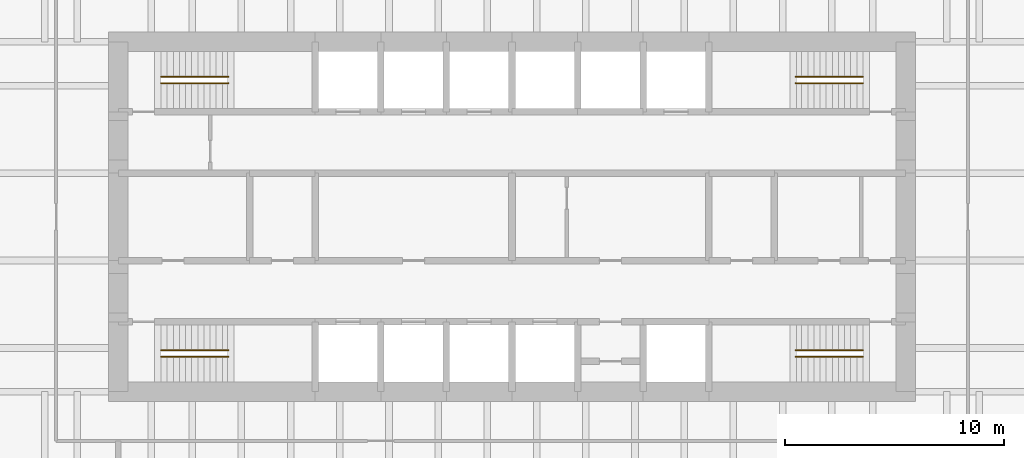
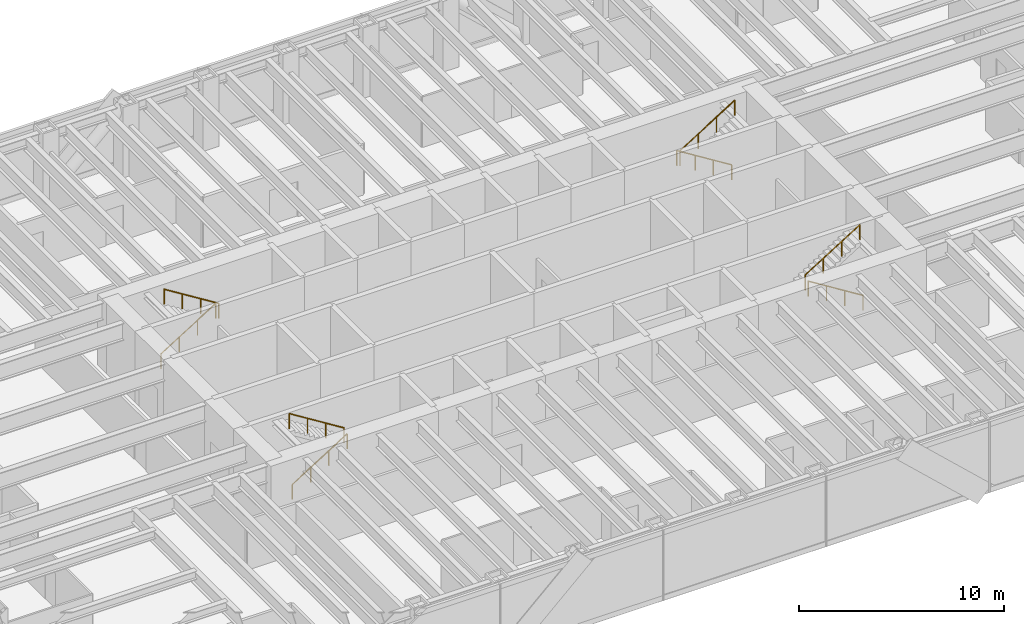
# One storey, part 15 of 15: 8 railings.
"""IFC4 building model written with IfcOpenShell, lengths in metres."""

from ifc_helpers import new_model, si_unit, direction, frame, origin, origin_2d, place, context, subcontext, project, spatial, circle, extrude, material, type_object, element, save


model = new_model("IFC4")

# Units and contexts
model_context = context("Model", 3, precision=1e-05, world=origin(), true_north=direction((0.0, 1.0)))
body_context = subcontext(model_context, "Body", "Model", "MODEL_VIEW")
ifc_project = project(units=[si_unit("LENGTHUNIT", "METRE"), si_unit("AREAUNIT", "SQUARE_METRE"), si_unit("VOLUMEUNIT", "CUBIC_METRE"), si_unit("PLANEANGLEUNIT", "RADIAN"), si_unit("MASSUNIT", "GRAM", prefix="KILO")], contexts=[model_context])

# Site, building, storey
site_placement = place(None, origin())
site = spatial("IfcSite", under=ifc_project, at=site_placement, CompositionType="ELEMENT")
building_placement = place(site_placement, origin())
building = spatial("IfcBuilding", under=site, at=building_placement, Name="Rheinbord Bourse Tower", CompositionType="ELEMENT")
storey_placement = place(building_placement, frame((0.0, 0.0, 142.5)))
storey = spatial("IfcBuildingStorey", under=building, at=storey_placement, Name="L31", CompositionType="ELEMENT", Elevation=142.5)

# Railings
ifc_material = material(Name="Steel handrail", Category="steel")
railing_type = type_object("IfcRailingType", Name="HANDRAIL 900", PredefinedType="HANDRAIL", material=ifc_material)
railing_1_placement = place(storey_placement, frame((19.949951171875, 17.60009765625, 0.175048828125)))
element("IfcRailing", 1, at=railing_1_placement, inside=storey, type_object=railing_type, Name="Handrail", PredefinedType="HANDRAIL", context=body_context, shape_type="SweptSolid", body=[
    extrude(circle(Radius=0.02392578125, at=origin_2d()), frame((0.0, 0.0, 0.8759765625), z_axis=(0.847998304005, 0.0, 0.529998940003), x_axis=(0.0, 1.0, 0.0)), (0.0, 0.0, 1.0), 3.632080078125),
    extrude(circle(Radius=0.02099609375, at=origin_2d()), origin(), (0.0, 0.0, 1.0), 0.851806640625),
    extrude(circle(Radius=0.02099609375, at=origin_2d()), frame((1.026611328125, 0.0, 0.6416015625)), (0.0, 0.0, 1.0), 0.851806640625),
    extrude(circle(Radius=0.02099609375, at=origin_2d()), frame((2.053466796875, 0.0, 1.283447265625)), (0.0, 0.0, 1.0), 0.851806640625),
    extrude(circle(Radius=0.02099609375, at=origin_2d()), frame((3.080078125, 0.0, 1.925048828125)), (0.0, 0.0, 1.0), 0.851806640625),
])
railing_2_placement = place(storey_placement, frame((23.030029296875, 17.89990234375, 2.27490234375)))
element("IfcRailing", 2, at=railing_2_placement, inside=storey, type_object=railing_type, Name="Handrail", PredefinedType="HANDRAIL", context=body_context, shape_type="SweptSolid", body=[
    extrude(circle(Radius=0.02392578125, at=origin_2d()), frame((0.0, 0.0, 0.8759765625), z_axis=(-0.847998304005, 0.0, 0.529998940003), x_axis=(0.0, -1.0, 0.0)), (0.0, 0.0, 1.0), 3.632080078125),
    extrude(circle(Radius=0.02099609375, at=origin_2d()), origin(), (0.0, 0.0, 1.0), 0.851806640625),
    extrude(circle(Radius=0.02099609375, at=origin_2d()), frame((-1.026611328125, 0.0, 0.6416015625)), (0.0, 0.0, 1.0), 0.851806640625),
    extrude(circle(Radius=0.02099609375, at=origin_2d()), frame((-2.053466796875, 0.0, 1.283447265625)), (0.0, 0.0, 1.0), 0.851806640625),
    extrude(circle(Radius=0.02099609375, at=origin_2d()), frame((-3.080078125, 0.0, 1.925048828125)), (0.0, 0.0, 1.0), 0.851806640625),
])
railing_3_placement = place(storey_placement, frame((19.949951171875, 30.39990234375, 0.175048828125)))
element("IfcRailing", 3, at=railing_3_placement, inside=storey, type_object=railing_type, Name="Handrail", PredefinedType="HANDRAIL", context=body_context, shape_type="SweptSolid", body=[
    extrude(circle(Radius=0.02392578125, at=origin_2d()), frame((0.0, 0.0, 0.8759765625), z_axis=(0.847998304005, 0.0, 0.529998940003), x_axis=(0.0, 1.0, 0.0)), (0.0, 0.0, 1.0), 3.632080078125),
    extrude(circle(Radius=0.02099609375, at=origin_2d()), origin(), (0.0, 0.0, 1.0), 0.851806640625),
    extrude(circle(Radius=0.02099609375, at=origin_2d()), frame((1.026611328125, 0.0, 0.6416015625)), (0.0, 0.0, 1.0), 0.851806640625),
    extrude(circle(Radius=0.02099609375, at=origin_2d()), frame((2.053466796875, 0.0, 1.283447265625)), (0.0, 0.0, 1.0), 0.851806640625),
    extrude(circle(Radius=0.02099609375, at=origin_2d()), frame((3.080078125, 0.0, 1.925048828125)), (0.0, 0.0, 1.0), 0.851806640625),
])
for number, where, name in (
    (4, (23.030029296875, 30.10009765625, 2.27490234375), "Handrail"),
    (5, (52.050048828125, 17.60009765625, 0.175048828125), "Handrail"),
):
    element("IfcRailing", number, at=place(storey_placement, frame(where)), inside=storey, type_object=railing_type, Name=name, PredefinedType="HANDRAIL", context=body_context, shape_type="SweptSolid", body=[
        extrude(circle(Radius=0.02392578125, at=origin_2d()), frame((0.0, 0.0, 0.8759765625), z_axis=(-0.847998304005, 0.0, 0.529998940003), x_axis=(0.0, -1.0, 0.0)), (0.0, 0.0, 1.0), 3.632080078125),
        extrude(circle(Radius=0.02099609375, at=origin_2d()), origin(), (0.0, 0.0, 1.0), 0.851806640625),
        extrude(circle(Radius=0.02099609375, at=origin_2d()), frame((-1.026611328125, 0.0, 0.6416015625)), (0.0, 0.0, 1.0), 0.851806640625),
        extrude(circle(Radius=0.02099609375, at=origin_2d()), frame((-2.053466796875, 0.0, 1.283447265625)), (0.0, 0.0, 1.0), 0.851806640625),
        extrude(circle(Radius=0.02099609375, at=origin_2d()), frame((-3.080078125, 0.0, 1.925048828125)), (0.0, 0.0, 1.0), 0.851806640625),
    ])
railing_4_placement = place(storey_placement, frame((48.969970703125, 17.89990234375, 2.27490234375)))
element("IfcRailing", 6, at=railing_4_placement, inside=storey, type_object=railing_type, Name="Handrail", PredefinedType="HANDRAIL", context=body_context, shape_type="SweptSolid", body=[
    extrude(circle(Radius=0.02392578125, at=origin_2d()), frame((0.0, 0.0, 0.8759765625), z_axis=(0.847998304005, 0.0, 0.529998940003), x_axis=(0.0, 1.0, 0.0)), (0.0, 0.0, 1.0), 3.632080078125),
    extrude(circle(Radius=0.02099609375, at=origin_2d()), origin(), (0.0, 0.0, 1.0), 0.851806640625),
    extrude(circle(Radius=0.02099609375, at=origin_2d()), frame((1.026611328125, 0.0, 0.6416015625)), (0.0, 0.0, 1.0), 0.851806640625),
    extrude(circle(Radius=0.02099609375, at=origin_2d()), frame((2.053466796875, 0.0, 1.283447265625)), (0.0, 0.0, 1.0), 0.851806640625),
    extrude(circle(Radius=0.02099609375, at=origin_2d()), frame((3.080078125, 0.0, 1.925048828125)), (0.0, 0.0, 1.0), 0.851806640625),
])
railing_5_placement = place(storey_placement, frame((52.050048828125, 30.39990234375, 0.175048828125)))
element("IfcRailing", 7, at=railing_5_placement, inside=storey, type_object=railing_type, Name="Handrail", PredefinedType="HANDRAIL", context=body_context, shape_type="SweptSolid", body=[
    extrude(circle(Radius=0.02392578125, at=origin_2d()), frame((0.0, 0.0, 0.8759765625), z_axis=(-0.847998304005, 0.0, 0.529998940003), x_axis=(0.0, -1.0, 0.0)), (0.0, 0.0, 1.0), 3.632080078125),
    extrude(circle(Radius=0.02099609375, at=origin_2d()), origin(), (0.0, 0.0, 1.0), 0.851806640625),
    extrude(circle(Radius=0.02099609375, at=origin_2d()), frame((-1.026611328125, 0.0, 0.6416015625)), (0.0, 0.0, 1.0), 0.851806640625),
    extrude(circle(Radius=0.02099609375, at=origin_2d()), frame((-2.053466796875, 0.0, 1.283447265625)), (0.0, 0.0, 1.0), 0.851806640625),
    extrude(circle(Radius=0.02099609375, at=origin_2d()), frame((-3.080078125, 0.0, 1.925048828125)), (0.0, 0.0, 1.0), 0.851806640625),
])
railing_6_placement = place(storey_placement, frame((48.969970703125, 30.10009765625, 2.27490234375)))
element("IfcRailing", 8, at=railing_6_placement, inside=storey, type_object=railing_type, Name="Handrail", PredefinedType="HANDRAIL", context=body_context, shape_type="SweptSolid", body=[
    extrude(circle(Radius=0.02392578125, at=origin_2d()), frame((0.0, 0.0, 0.8759765625), z_axis=(0.847998304005, 0.0, 0.529998940003), x_axis=(0.0, 1.0, 0.0)), (0.0, 0.0, 1.0), 3.632080078125),
    extrude(circle(Radius=0.02099609375, at=origin_2d()), origin(), (0.0, 0.0, 1.0), 0.851806640625),
    extrude(circle(Radius=0.02099609375, at=origin_2d()), frame((1.026611328125, 0.0, 0.6416015625)), (0.0, 0.0, 1.0), 0.851806640625),
    extrude(circle(Radius=0.02099609375, at=origin_2d()), frame((2.053466796875, 0.0, 1.283447265625)), (0.0, 0.0, 1.0), 0.851806640625),
    extrude(circle(Radius=0.02099609375, at=origin_2d()), frame((3.080078125, 0.0, 1.925048828125)), (0.0, 0.0, 1.0), 0.851806640625),
])

save(model, "model.ifc")
